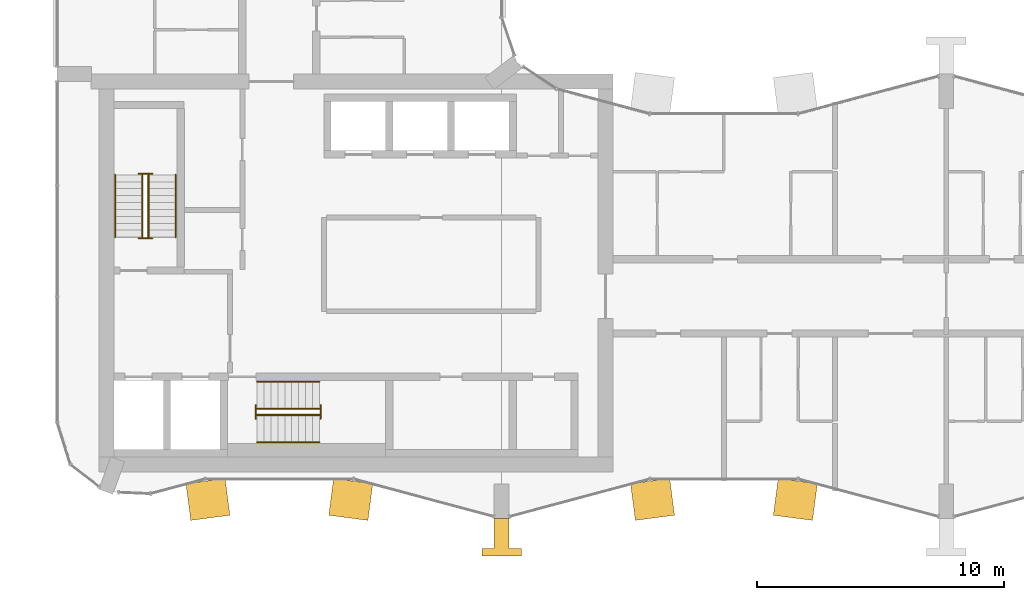
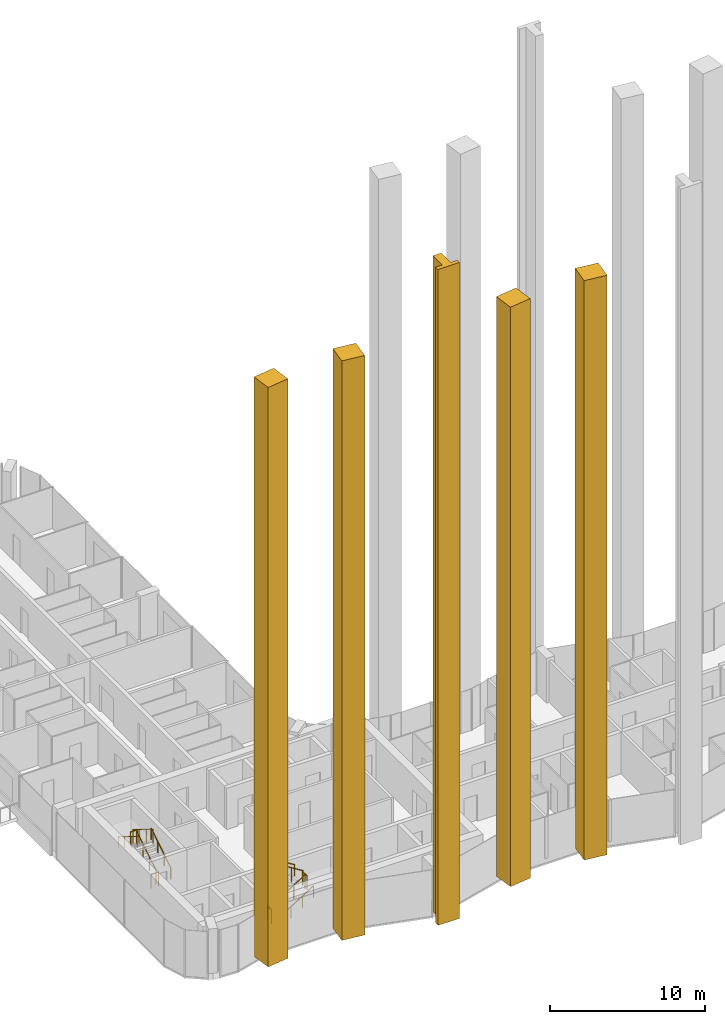
# One storey, part 15 of 18: 12 railings, 5 coverings.
"""IFC4 building model written with IfcOpenShell, lengths in metres."""

from ifc_helpers import new_model, si_unit, direction, frame, origin, origin_2d, place, context, subcontext, project, spatial, polyline, circle, outline, extrude, material, type_object, element, save


model = new_model("IFC4")

# Units and contexts
model_context = context("Model", 3, precision=1e-05, world=origin(), true_north=direction((0.0, 1.0)))
body_context = subcontext(model_context, "Body", "Model", "MODEL_VIEW")
ifc_project = project(units=[si_unit("LENGTHUNIT", "METRE"), si_unit("AREAUNIT", "SQUARE_METRE"), si_unit("VOLUMEUNIT", "CUBIC_METRE"), si_unit("PLANEANGLEUNIT", "RADIAN"), si_unit("MASSUNIT", "GRAM", prefix="KILO")], contexts=[model_context])

# Site, building, storey
site_placement = place(None, origin())
site = spatial("IfcSite", under=ifc_project, at=site_placement, CompositionType="ELEMENT")
building_placement = place(site_placement, origin())
building = spatial("IfcBuilding", under=site, at=building_placement, Name="Plateau Cross Towers", CompositionType="ELEMENT")
storey_placement = place(building_placement, frame((0.0, 0.0, 139.39990234375)))
storey = spatial("IfcBuildingStorey", under=building, at=storey_placement, Name="L35", CompositionType="ELEMENT", Elevation=139.39990234375)

# Coverings
ifc_material_1 = material(Name="Light precast concrete cladding C40/50", Category="concrete")
covering_type_1 = type_object("IfcCoveringType", Name="Flute pier cladding 1600x1500", PredefinedType="CLADDING", material=ifc_material_1)
covering_1_placement = place(storey_placement, origin())
element("IfcCovering", 1, at=covering_1_placement, inside=storey, type_object=covering_type_1, Name="Flute pier", PredefinedType="CLADDING", context=body_context, shape_type="SweptSolid", body=[
    extrude(outline(polyline([(5.2177734375, 1.419677734375), (6.80419921875, 1.62841796875), (6.999755859375, 0.14111328125), (5.41357421875, -0.067626953125), (5.2177734375, 1.419677734375)])), origin(), (0.0, 0.0, 1.0), 45.5),
])
covering_2_placement = place(storey_placement, origin())
element("IfcCovering", 2, at=covering_2_placement, inside=storey, type_object=covering_type_1, Name="Flute pier", PredefinedType="CLADDING", context=body_context, shape_type="SweptSolid", body=[
    extrude(outline(polyline([(11.19580078125, 1.62841796875), (12.7822265625, 1.419677734375), (12.58642578125, -0.067626953125), (11.000244140625, 0.14111328125), (11.19580078125, 1.62841796875)])), origin(), (0.0, 0.0, 1.0), 45.5),
])
covering_3_placement = place(storey_placement, origin())
element("IfcCovering", 3, at=covering_3_placement, inside=storey, type_object=covering_type_1, Name="Flute pier", PredefinedType="CLADDING", context=body_context, shape_type="SweptSolid", body=[
    extrude(outline(polyline([(23.2177734375, 1.419677734375), (24.80419921875, 1.62841796875), (24.999755859375, 0.14111328125), (23.41357421875, -0.067626953125), (23.2177734375, 1.419677734375)])), origin(), (0.0, 0.0, 1.0), 45.5),
])
covering_4_placement = place(storey_placement, origin())
element("IfcCovering", 4, at=covering_4_placement, inside=storey, type_object=covering_type_1, Name="Flute pier", PredefinedType="CLADDING", context=body_context, shape_type="SweptSolid", body=[
    extrude(outline(polyline([(29.19580078125, 1.62841796875), (30.7822265625, 1.419677734375), (30.58642578125, -0.067626953125), (29.000244140625, 0.14111328125), (29.19580078125, 1.62841796875)])), origin(), (0.0, 0.0, 1.0), 45.5),
])
covering_type_2 = type_object("IfcCoveringType", Name="Pier fin cladding 1600x1500", PredefinedType="CLADDING", material=ifc_material_1)
covering_5_placement = place(storey_placement, origin())
element("IfcCovering", 5, at=covering_5_placement, inside=storey, type_object=covering_type_2, Name="Pier fin PR1", PredefinedType="CLADDING", context=body_context, shape_type="SweptSolid", body=[
    extrude(outline(polyline([(17.699951171875, 0.0), (18.300048828125, 0.0), (18.300048828125, -1.199951171875), (18.800048828125, -1.199951171875), (18.800048828125, -1.5), (17.199951171875, -1.5), (17.199951171875, -1.199951171875), (17.699951171875, -1.199951171875), (17.699951171875, 0.0)])), origin(), (0.0, 0.0, 1.0), 51.5),
])

# Railings
ifc_material_2 = material(Name="Stainless steel and toughened glass", Category="steel")
railing_type_1 = type_object("IfcRailingType", Name="RL-GUARD-1100", PredefinedType="GUARDRAIL", material=ifc_material_2)
railing_1_placement = place(storey_placement, frame((3.699951171875, 11.39990234375, 0.175048828125)))
element("IfcRailing", 6, at=railing_1_placement, inside=storey, type_object=railing_type_1, Name="L35 ST-1 stair guard 1", PredefinedType="GUARDRAIL", context=body_context, shape_type="SweptSolid", body=[
    extrude(circle(Radius=0.02392578125, at=origin_2d()), frame((0.0, 0.0, 1.076171875), z_axis=(0.0, 0.848007534815, 0.529984170421), x_axis=(-1.0, 0.0, 0.0)), (0.0, 0.0, 1.0), 2.9716796875),
    extrude(circle(Radius=0.02099609375, at=origin_2d()), origin(), (0.0, 0.0, 1.0), 1.052001953125),
    extrude(circle(Radius=0.02099609375, at=origin_2d()), frame((0.0, 0.840087890625, 0.52490234375)), (0.0, 0.0, 1.0), 1.052001953125),
    extrude(circle(Radius=0.02099609375, at=origin_2d()), frame((0.0, 1.679931640625, 1.050048828125)), (0.0, 0.0, 1.0), 1.052001953125),
    extrude(circle(Radius=0.02099609375, at=origin_2d()), frame((0.0, 2.52001953125, 1.574951171875)), (0.0, 0.0, 1.0), 1.052001953125),
])
railing_2_placement = place(storey_placement, frame((3.85009765625, 13.969970703125, 1.75)))
element("IfcRailing", 7, at=railing_2_placement, inside=storey, type_object=railing_type_1, Name="L35 ST-1 stair guard 2", PredefinedType="GUARDRAIL", context=body_context, shape_type="SweptSolid", body=[
    extrude(circle(Radius=0.02392578125, at=origin_2d()), frame((0.0, 0.0, 1.076171875), z_axis=(-1.0, 0.0, 0.0), x_axis=(0.0, -1.0, 0.0)), (0.0, 0.0, 1.0), 0.550048828125),
    extrude(circle(Radius=0.02099609375, at=origin_2d()), origin(), (0.0, 0.0, 1.0), 1.052001953125),
    extrude(circle(Radius=0.02099609375, at=origin_2d()), frame((-0.550048828125, 0.0, 0.0)), (0.0, 0.0, 1.0), 1.052001953125),
])
railing_3_placement = place(storey_placement, frame((3.449951171875, 13.919921875, 1.925048828125)))
element("IfcRailing", 8, at=railing_3_placement, inside=storey, type_object=railing_type_1, Name="L35 ST-1 stair guard 3", PredefinedType="GUARDRAIL", context=body_context, shape_type="SweptSolid", body=[
    extrude(circle(Radius=0.02392578125, at=origin_2d()), frame((0.0, 0.0, 1.076171875), z_axis=(0.0, -0.852616386126, 0.522537365276), x_axis=(1.0, 0.0, 0.0)), (0.0, 0.0, 1.0), 3.01416015625),
    extrude(circle(Radius=0.02099609375, at=origin_2d()), origin(), (0.0, 0.0, 1.0), 1.052001953125),
    extrude(circle(Radius=0.02099609375, at=origin_2d()), frame((0.0, -0.856689453125, 0.52490234375)), (0.0, 0.0, 1.0), 1.052001953125),
    extrude(circle(Radius=0.02099609375, at=origin_2d()), frame((0.0, -1.713134765625, 1.050048828125)), (0.0, 0.0, 1.0), 1.052001953125),
    extrude(circle(Radius=0.02099609375, at=origin_2d()), frame((0.0, -2.56982421875, 1.574951171875)), (0.0, 0.0, 1.0), 1.052001953125),
])
railing_4_placement = place(storey_placement, frame((3.85009765625, 11.35009765625, 0.0)))
element("IfcRailing", 9, at=railing_4_placement, inside=storey, type_object=railing_type_1, Name="L35 ST-1 stair guard 4", PredefinedType="GUARDRAIL", context=body_context, shape_type="SweptSolid", body=[
    extrude(circle(Radius=0.02392578125, at=origin_2d()), frame((0.0, 0.0, 1.076171875), z_axis=(-1.0, 0.0, 0.0), x_axis=(0.0, -1.0, 0.0)), (0.0, 0.0, 1.0), 0.550048828125),
    extrude(circle(Radius=0.02099609375, at=origin_2d()), origin(), (0.0, 0.0, 1.0), 1.052001953125),
    extrude(circle(Radius=0.02099609375, at=origin_2d()), frame((-0.550048828125, 0.0, 0.0)), (0.0, 0.0, 1.0), 1.052001953125),
])
railing_5_placement = place(storey_placement, frame((8.10009765625, 4.199951171875, 0.175048828125)))
element("IfcRailing", 10, at=railing_5_placement, inside=storey, type_object=railing_type_1, Name="L35 ST-2 stair guard 1", PredefinedType="GUARDRAIL", context=body_context, shape_type="SweptSolid", body=[
    extrude(circle(Radius=0.02392578125, at=origin_2d()), frame((0.0, 0.0, 1.076171875), z_axis=(0.848007534815, 0.0, 0.529984170421), x_axis=(0.0, 1.0, 0.0)), (0.0, 0.0, 1.0), 2.9716796875),
    extrude(circle(Radius=0.02099609375, at=origin_2d()), origin(), (0.0, 0.0, 1.0), 1.052001953125),
    extrude(circle(Radius=0.02099609375, at=origin_2d()), frame((0.840087890625, 0.0, 0.52490234375)), (0.0, 0.0, 1.0), 1.052001953125),
    extrude(circle(Radius=0.02099609375, at=origin_2d()), frame((1.679931640625, 0.0, 1.050048828125)), (0.0, 0.0, 1.0), 1.052001953125),
    extrude(circle(Radius=0.02099609375, at=origin_2d()), frame((2.52001953125, 0.0, 1.574951171875)), (0.0, 0.0, 1.0), 1.052001953125),
])
railing_6_placement = place(storey_placement, frame((10.669921875, 4.050048828125, 1.75)))
element("IfcRailing", 11, at=railing_6_placement, inside=storey, type_object=railing_type_1, Name="L35 ST-2 stair guard 2", PredefinedType="GUARDRAIL", context=body_context, shape_type="SweptSolid", body=[
    extrude(circle(Radius=0.02392578125, at=origin_2d()), frame((0.0, 0.0, 1.076171875), z_axis=(0.0, 1.0, 0.0), x_axis=(-1.0, 0.0, 0.0)), (0.0, 0.0, 1.0), 0.550048828125),
    extrude(circle(Radius=0.02099609375, at=origin_2d()), origin(), (0.0, 0.0, 1.0), 1.052001953125),
    extrude(circle(Radius=0.02099609375, at=origin_2d()), frame((0.0, 0.550048828125, 0.0)), (0.0, 0.0, 1.0), 1.052001953125),
])
railing_7_placement = place(storey_placement, frame((10.6201171875, 4.449951171875, 1.925048828125)))
element("IfcRailing", 12, at=railing_7_placement, inside=storey, type_object=railing_type_1, Name="L35 ST-2 stair guard 3", PredefinedType="GUARDRAIL", context=body_context, shape_type="SweptSolid", body=[
    extrude(circle(Radius=0.02392578125, at=origin_2d()), frame((0.0, 0.0, 1.076171875), z_axis=(-0.852638500773, 0.0, 0.522501279423), x_axis=(0.0, -1.0, 0.0)), (0.0, 0.0, 1.0), 3.01416015625),
    extrude(circle(Radius=0.02099609375, at=origin_2d()), origin(), (0.0, 0.0, 1.0), 1.052001953125),
    extrude(circle(Radius=0.02099609375, at=origin_2d()), frame((-0.856689453125, 0.0, 0.52490234375)), (0.0, 0.0, 1.0), 1.052001953125),
    extrude(circle(Radius=0.02099609375, at=origin_2d()), frame((-1.71337890625, 0.0, 1.050048828125)), (0.0, 0.0, 1.0), 1.052001953125),
    extrude(circle(Radius=0.02099609375, at=origin_2d()), frame((-2.570068359375, 0.0, 1.574951171875)), (0.0, 0.0, 1.0), 1.052001953125),
])
railing_8_placement = place(storey_placement, frame((8.050048828125, 4.050048828125, 0.0)))
element("IfcRailing", 13, at=railing_8_placement, inside=storey, type_object=railing_type_1, Name="L35 ST-2 stair guard 4", PredefinedType="GUARDRAIL", context=body_context, shape_type="SweptSolid", body=[
    extrude(circle(Radius=0.02392578125, at=origin_2d()), frame((0.0, 0.0, 1.076171875), z_axis=(0.0, 1.0, 0.0), x_axis=(-1.0, 0.0, 0.0)), (0.0, 0.0, 1.0), 0.550048828125),
    extrude(circle(Radius=0.02099609375, at=origin_2d()), origin(), (0.0, 0.0, 1.0), 1.052001953125),
    extrude(circle(Radius=0.02099609375, at=origin_2d()), frame((0.0, 0.550048828125, 0.0)), (0.0, 0.0, 1.0), 1.052001953125),
])
ifc_material_3 = material(Name="Black anodised aluminium", Category="aluminium")
railing_type_2 = type_object("IfcRailingType", Name="RL-HANDRAIL-900", PredefinedType="HANDRAIL", material=ifc_material_3)
railing_9_placement = place(storey_placement, frame((4.800048828125, 11.39990234375, 0.175048828125)))
element("IfcRailing", 14, at=railing_9_placement, inside=storey, type_object=railing_type_2, Name="L35 ST-1 stair handrail 1", PredefinedType="HANDRAIL", context=body_context, shape_type="SweptSolid", body=[
    extrude(circle(Radius=0.02392578125, at=origin_2d()), frame((0.0, 0.0, 0.8759765625), z_axis=(0.0, 0.848007534815, 0.529984170421), x_axis=(-1.0, 0.0, 0.0)), (0.0, 0.0, 1.0), 2.9716796875),
    extrude(circle(Radius=0.02099609375, at=origin_2d()), origin(), (0.0, 0.0, 1.0), 0.851806640625),
    extrude(circle(Radius=0.02099609375, at=origin_2d()), frame((0.0, 0.840087890625, 0.52490234375)), (0.0, 0.0, 1.0), 0.851806640625),
    extrude(circle(Radius=0.02099609375, at=origin_2d()), frame((0.0, 1.679931640625, 1.050048828125)), (0.0, 0.0, 1.0), 0.851806640625),
    extrude(circle(Radius=0.02099609375, at=origin_2d()), frame((0.0, 2.52001953125, 1.574951171875)), (0.0, 0.0, 1.0), 0.851806640625),
])
railing_10_placement = place(storey_placement, frame((2.35009765625, 13.919921875, 1.925048828125)))
element("IfcRailing", 15, at=railing_10_placement, inside=storey, type_object=railing_type_2, Name="L35 ST-1 stair handrail 2", PredefinedType="HANDRAIL", context=body_context, shape_type="SweptSolid", body=[
    extrude(circle(Radius=0.02392578125, at=origin_2d()), frame((0.0, 0.0, 0.8759765625), z_axis=(0.0, -0.848007534815, 0.529984170421), x_axis=(1.0, 0.0, 0.0)), (0.0, 0.0, 1.0), 2.9716796875),
    extrude(circle(Radius=0.02099609375, at=origin_2d()), origin(), (0.0, 0.0, 1.0), 0.851806640625),
    extrude(circle(Radius=0.02099609375, at=origin_2d()), frame((0.0, -0.840087890625, 0.52490234375)), (0.0, 0.0, 1.0), 0.851806640625),
    extrude(circle(Radius=0.02099609375, at=origin_2d()), frame((0.0, -1.679931640625, 1.050048828125)), (0.0, 0.0, 1.0), 0.851806640625),
    extrude(circle(Radius=0.02099609375, at=origin_2d()), frame((0.0, -2.52001953125, 1.574951171875)), (0.0, 0.0, 1.0), 0.851806640625),
])
railing_11_placement = place(storey_placement, frame((8.10009765625, 3.10009765625, 0.175048828125)))
element("IfcRailing", 16, at=railing_11_placement, inside=storey, type_object=railing_type_2, Name="L35 ST-2 stair handrail 1", PredefinedType="HANDRAIL", context=body_context, shape_type="SweptSolid", body=[
    extrude(circle(Radius=0.02392578125, at=origin_2d()), frame((0.0, 0.0, 0.8759765625), z_axis=(0.848007534815, 0.0, 0.529984170421), x_axis=(0.0, 1.0, 0.0)), (0.0, 0.0, 1.0), 2.9716796875),
    extrude(circle(Radius=0.02099609375, at=origin_2d()), origin(), (0.0, 0.0, 1.0), 0.851806640625),
    extrude(circle(Radius=0.02099609375, at=origin_2d()), frame((0.840087890625, 0.0, 0.52490234375)), (0.0, 0.0, 1.0), 0.851806640625),
    extrude(circle(Radius=0.02099609375, at=origin_2d()), frame((1.679931640625, 0.0, 1.050048828125)), (0.0, 0.0, 1.0), 0.851806640625),
    extrude(circle(Radius=0.02099609375, at=origin_2d()), frame((2.52001953125, 0.0, 1.574951171875)), (0.0, 0.0, 1.0), 0.851806640625),
])
railing_12_placement = place(storey_placement, frame((10.6201171875, 5.550048828125, 1.925048828125)))
element("IfcRailing", 17, at=railing_12_placement, inside=storey, type_object=railing_type_2, Name="L35 ST-2 stair handrail 2", PredefinedType="HANDRAIL", context=body_context, shape_type="SweptSolid", body=[
    extrude(circle(Radius=0.02392578125, at=origin_2d()), frame((0.0, 0.0, 0.8759765625), z_axis=(-0.848007534815, 0.0, 0.529984170421), x_axis=(0.0, -1.0, 0.0)), (0.0, 0.0, 1.0), 2.9716796875),
    extrude(circle(Radius=0.02099609375, at=origin_2d()), origin(), (0.0, 0.0, 1.0), 0.851806640625),
    extrude(circle(Radius=0.02099609375, at=origin_2d()), frame((-0.840087890625, 0.0, 0.52490234375)), (0.0, 0.0, 1.0), 0.851806640625),
    extrude(circle(Radius=0.02099609375, at=origin_2d()), frame((-1.679931640625, 0.0, 1.050048828125)), (0.0, 0.0, 1.0), 0.851806640625),
    extrude(circle(Radius=0.02099609375, at=origin_2d()), frame((-2.52001953125, 0.0, 1.574951171875)), (0.0, 0.0, 1.0), 0.851806640625),
])

save(model, "model.ifc")
